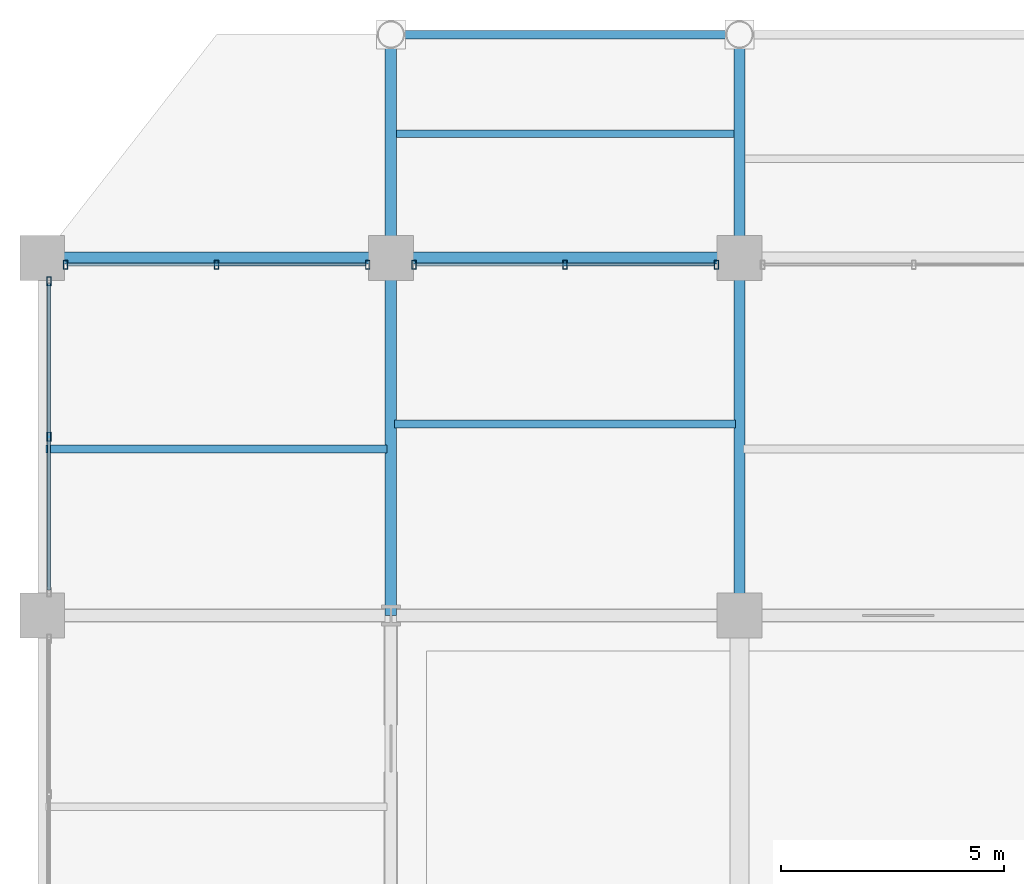
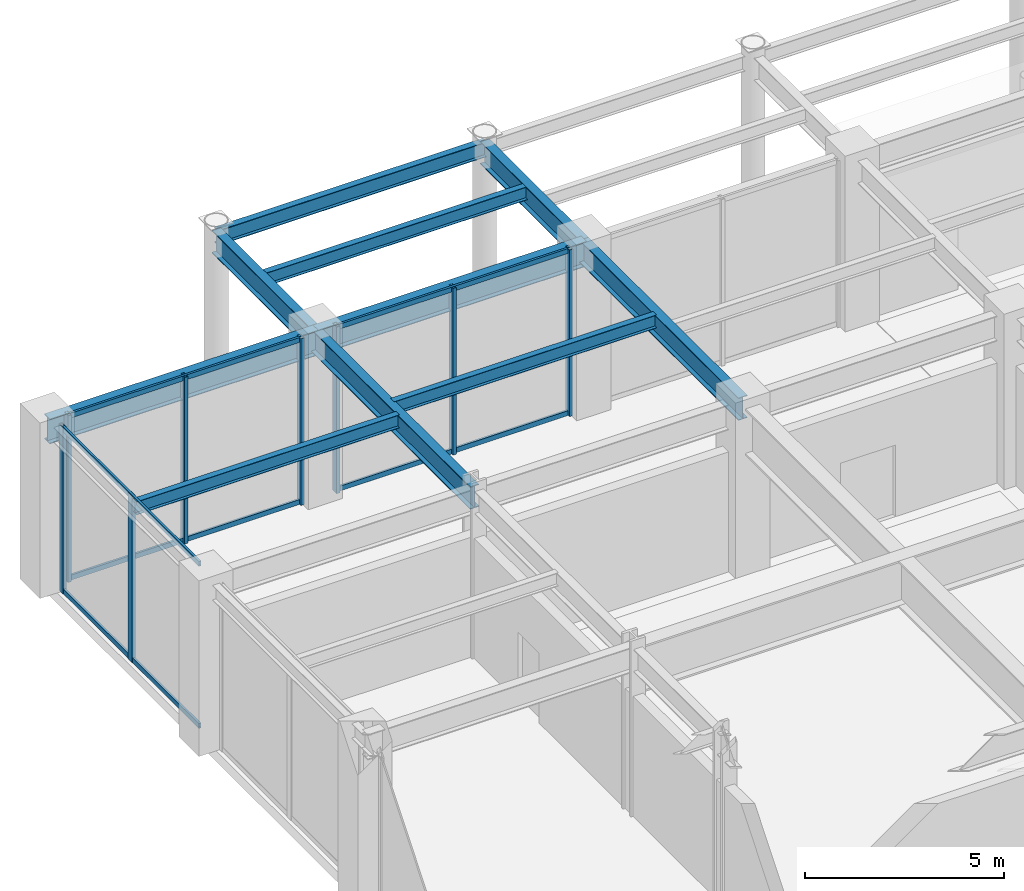
# One storey, part 14 of 27: 14 members, 10 beams, 3 elements without a shape of their own.
"""IFC4 building model written with IfcOpenShell, lengths in metres."""

from ifc_helpers import new_model, si_unit, direction, frame, origin, origin_2d, place, context, subcontext, project, spatial, hollow_rectangle, i_section, extrude, material, layer, layer_set, material_profile, profile_set, type_object, element, aggregate, save


model = new_model("IFC4")

# Units and contexts
model_context = context("Model", 3, precision=1e-05, world=origin(), true_north=direction((0.0, 1.0)))
body_context = subcontext(model_context, "Body", "Model", "MODEL_VIEW")
ifc_project = project(units=[si_unit("LENGTHUNIT", "METRE"), si_unit("AREAUNIT", "SQUARE_METRE"), si_unit("VOLUMEUNIT", "CUBIC_METRE"), si_unit("PLANEANGLEUNIT", "RADIAN"), si_unit("MASSUNIT", "GRAM", prefix="KILO")], contexts=[model_context])

# Site, building, storey
site_placement = place(None, origin())
site = spatial("IfcSite", under=ifc_project, at=site_placement, CompositionType="ELEMENT")
building_placement = place(site_placement, origin())
building = spatial("IfcBuilding", under=site, at=building_placement, Name="Veymaron Broadcast Tower", CompositionType="ELEMENT")
storey_placement = place(building_placement, origin())
storey = spatial("IfcBuildingStorey", under=building, at=storey_placement, Name="L00", CompositionType="ELEMENT", Elevation=0.0)

# Beams
ifc_material_1 = material(Name="Structural steel ASTM A992 Gr 50", Category="steel")
ifc_material_profile_1 = material_profile(ifc_material_1, i_section(OverallWidth=0.177978515625, OverallDepth=0.406982421875, WebThickness=0.0078125, FlangeThickness=0.0126953125, at=origin_2d()), Name="W410X60")
ifc_profile_set_1 = profile_set([ifc_material_profile_1], Name="Structural steel ASTM A992 Gr 50")
beam_type_1 = type_object("IfcBeamType", Name="BM-JS1", PredefinedType="JOIST", material=ifc_profile_set_1)
beam_1_placement = place(storey_placement, frame((0.0849609375, 43.719970703125, 4.91650390625), z_axis=(1.0, 0.0, 0.0), x_axis=(0.0, 1.0, 0.0)))
element("IfcBeam", 1, at=beam_1_placement, inside=storey, type_object=beam_type_1, Name="L00 podium secondary floor joist", PredefinedType="JOIST", context=body_context, shape_type="SweptSolid", body=[
    extrude(i_section(OverallWidth=0.177978515625, OverallDepth=0.406982421875, WebThickness=0.0078125, FlangeThickness=0.0126953125, at=origin_2d()), origin(), (0.0, 0.0, 1.0), 7.630126953125),
])
for number, where, z_axis, x_axis, name in (
    (2, (7.885009765625, 44.280029296875, 4.91650390625), (1.0, 0.0, 0.0), (0.0, 1.0, 0.0), "L00 podium secondary floor joist"),
    (3, (7.885009765625, 50.780029296875, 4.91650390625), (1.0, 0.0, 0.0), (0.0, 1.0, 0.0), "L00 podium secondary floor joist"),
):
    element("IfcBeam", number, at=place(storey_placement, frame(where, z_axis=z_axis, x_axis=x_axis)), inside=storey, type_object=beam_type_1, Name=name, PredefinedType="JOIST", context=body_context, shape_type="SweptSolid", body=[
        extrude(i_section(OverallWidth=0.177978515625, OverallDepth=0.406982421875, WebThickness=0.0078125, FlangeThickness=0.0126953125, at=origin_2d()), origin(), (0.0, 0.0, 1.0), 7.6298828125),
    ])
ifc_material_profile_2 = material_profile(ifc_material_1, i_section(OverallWidth=0.26806640625, OverallDepth=0.77001953125, WebThickness=0.015625, FlangeThickness=0.025390625, at=origin_2d()), Name="W760X196")
ifc_profile_set_2 = profile_set([ifc_material_profile_2], Name="Structural steel ASTM A992 Gr 50")
beam_type_2 = type_object("IfcBeamType", Name="BM-PG1", PredefinedType="BEAM", material=ifc_profile_set_2)
for number, where, z_axis, x_axis, name in (
    (4, (0.0, 48.0, 4.735107421875), (1.0, 0.0, 0.0), (0.0, 1.0, 0.0), "L00 podium primary X-girder"),
    (5, (7.800048828125, 48.0, 4.735107421875), (1.0, 0.0, 0.0), (0.0, 1.0, 0.0), "L00 podium primary X-girder"),
):
    element("IfcBeam", number, at=place(storey_placement, frame(where, z_axis=z_axis, x_axis=x_axis)), inside=storey, type_object=beam_type_2, Name=name, PredefinedType="BEAM", context=body_context, shape_type="SweptSolid", body=[
        extrude(i_section(OverallWidth=0.26806640625, OverallDepth=0.77001953125, WebThickness=0.015625, FlangeThickness=0.025390625, at=origin_2d()), origin(), (0.0, 0.0, 1.0), 7.800048828125),
    ])
ifc_material_profile_3 = material_profile(ifc_material_1, i_section(OverallWidth=0.256103515625, OverallDepth=0.693115234375, WebThickness=0.014404296875, FlangeThickness=0.023681640625, at=origin_2d()), Name="W690X170")
ifc_profile_set_3 = profile_set([ifc_material_profile_3], Name="Structural steel ASTM A992 Gr 50")
beam_type_3 = type_object("IfcBeamType", Name="BM-PG2", PredefinedType="BEAM", material=ifc_profile_set_3)
beam_2_placement = place(storey_placement, frame((7.800048828125, 40.0, 4.7734375), z_axis=(0.0, 1.0, 0.0), x_axis=(-1.0, 0.0, 0.0)))
element("IfcBeam", 6, at=beam_2_placement, inside=storey, type_object=beam_type_3, Name="L00 podium primary Y-girder", PredefinedType="BEAM", context=body_context, shape_type="SweptSolid", body=[
    extrude(i_section(OverallWidth=0.256103515625, OverallDepth=0.693115234375, WebThickness=0.014404296875, FlangeThickness=0.023681640625, at=origin_2d()), origin(), (0.0, 0.0, 1.0), 8.0),
])
beam_3_placement = place(storey_placement, frame((7.800048828125, 48.0, 4.7734375), z_axis=(0.0, 1.0, 0.0), x_axis=(-1.0, 0.0, 0.0)))
element("IfcBeam", 7, at=beam_3_placement, inside=storey, type_object=beam_type_3, Name="L00 podium primary Y-girder", PredefinedType="BEAM", context=body_context, shape_type="SweptSolid", body=[
    extrude(i_section(OverallWidth=0.256103515625, OverallDepth=0.693115234375, WebThickness=0.014404296875, FlangeThickness=0.023681640625, at=origin_2d()), origin(), (0.0, 0.0, 1.0), 5.0),
])
beam_4_placement = place(storey_placement, frame((15.60009765625, 40.0, 4.7734375), z_axis=(0.0, 1.0, 0.0), x_axis=(-1.0, 0.0, 0.0)))
element("IfcBeam", 8, at=beam_4_placement, inside=storey, type_object=beam_type_3, Name="L00 podium primary Y-girder", PredefinedType="BEAM", context=body_context, shape_type="SweptSolid", body=[
    extrude(i_section(OverallWidth=0.256103515625, OverallDepth=0.693115234375, WebThickness=0.014404296875, FlangeThickness=0.023681640625, at=origin_2d()), origin(), (0.0, 0.0, 1.0), 8.0),
])
beam_5_placement = place(storey_placement, frame((15.60009765625, 48.0, 4.7734375), z_axis=(0.0, 1.0, 0.0), x_axis=(-1.0, 0.0, 0.0)))
element("IfcBeam", 9, at=beam_5_placement, inside=storey, type_object=beam_type_3, Name="L00 podium primary Y-girder", PredefinedType="BEAM", context=body_context, shape_type="SweptSolid", body=[
    extrude(i_section(OverallWidth=0.256103515625, OverallDepth=0.693115234375, WebThickness=0.014404296875, FlangeThickness=0.023681640625, at=origin_2d()), origin(), (0.0, 0.0, 1.0), 5.0),
])
ifc_material_profile_4 = material_profile(ifc_material_1, i_section(OverallWidth=0.19091796875, OverallDepth=0.4599609375, WebThickness=0.010009765625, FlangeThickness=0.01611328125, at=origin_2d()), Name="W460X82")
ifc_profile_set_4 = profile_set([ifc_material_profile_4], Name="Structural steel ASTM A992 Gr 50")
beam_type_4 = type_object("IfcBeamType", Name="BM-SP1", PredefinedType="SPANDREL", material=ifc_profile_set_4)
beam_6_placement = place(storey_placement, frame((7.800048828125, 53.0, 4.889892578125), z_axis=(1.0, 0.0, 0.0), x_axis=(0.0, 1.0, 0.0)))
element("IfcBeam", 10, at=beam_6_placement, inside=storey, type_object=beam_type_4, Name="L00 podium primary X-girder", PredefinedType="SPANDREL", context=body_context, shape_type="SweptSolid", body=[
    extrude(i_section(OverallWidth=0.19091796875, OverallDepth=0.4599609375, WebThickness=0.010009765625, FlangeThickness=0.01611328125, at=origin_2d()), origin(), (0.0, 0.0, 1.0), 7.800048828125),
])

# Curtain wall, members
ifc_material_2 = material(Name="Anodised aluminium AA 6063-T6 and laminated low-E dark glass", Category="aluminium")
ifc_layer = layer(ifc_material_2, 0.179931640625)
ifc_layer_set = layer_set([ifc_layer], Name="Anodised aluminium AA 6063-T6 and laminated low-E dark glass")
curtain_wall_type = type_object("IfcCurtainWallType", Name="CW-SYS-01", PredefinedType="NOTDEFINED", material=ifc_layer_set)
curtain_wall_1_placement = place(storey_placement, origin())
curtain_wall_1 = element("IfcCurtainWall", 11, at=curtain_wall_1_placement, inside=storey, type_object=curtain_wall_type, Name="L00 dark-glass curtain wall CW-L00-01", PredefinedType="NOTDEFINED")
ifc_material_3 = material(Name="Anodised aluminium AA 6063-T6", Category="aluminium")
ifc_material_profile_5 = material_profile(ifc_material_3, hollow_rectangle(XDim=0.10009765625, YDim=0.199951171875, WallThickness=0.010009765625, at=origin_2d()), Name="RHS200X100X10")
ifc_profile_set_5 = profile_set([ifc_material_profile_5], Name="Anodised aluminium AA 6063-T6")
member_type_1 = type_object("IfcMemberType", Name="CW-MUL-01", PredefinedType="MULLION", material=ifc_profile_set_5)
member_1_placement = place(storey_placement, frame((0.51806640625, 47.85009765625, 0.0), z_axis=(0.0, 0.0, 1.0), x_axis=(1.0, 0.0, 0.0)))
member_1 = element("IfcMember", 12, at=member_1_placement, type_object=member_type_1, Name="CW-L00-01 mullion 0", PredefinedType="MULLION", context=body_context, shape_type="SweptSolid", body=[
    extrude(hollow_rectangle(XDim=0.10009765625, YDim=0.199951171875, WallThickness=0.010009765625, at=origin_2d()), origin(), (0.0, 0.0, 1.0), 5.1201171875),
])
member_2_placement = place(storey_placement, frame((3.89990234375, 47.85009765625, 0.0), z_axis=(0.0, 0.0, 1.0), x_axis=(1.0, 0.0, 0.0)))
member_2 = element("IfcMember", 13, at=member_2_placement, type_object=member_type_1, Name="CW-L00-01 mullion 1", PredefinedType="MULLION", context=body_context, shape_type="SweptSolid", body=[
    extrude(hollow_rectangle(XDim=0.10009765625, YDim=0.199951171875, WallThickness=0.010009765625, at=origin_2d()), origin(), (0.0, 0.0, 1.0), 5.1201171875),
])
member_3_placement = place(storey_placement, frame((7.281982421875, 47.85009765625, 0.0), z_axis=(0.0, 0.0, 1.0), x_axis=(1.0, 0.0, 0.0)))
member_3 = element("IfcMember", 14, at=member_3_placement, type_object=member_type_1, Name="CW-L00-01 mullion 2", PredefinedType="MULLION", context=body_context, shape_type="SweptSolid", body=[
    extrude(hollow_rectangle(XDim=0.10009765625, YDim=0.199951171875, WallThickness=0.010009765625, at=origin_2d()), origin(), (0.0, 0.0, 1.0), 5.1201171875),
])

curtain_wall_2_placement = place(storey_placement, origin())
curtain_wall_2 = element("IfcCurtainWall", 15, at=curtain_wall_2_placement, inside=storey, type_object=curtain_wall_type, Name="L00 dark-glass curtain wall CW-L00-02", PredefinedType="NOTDEFINED")
member_4_placement = place(storey_placement, frame((8.318115234375, 47.85009765625, 0.0), z_axis=(0.0, 0.0, 1.0), x_axis=(1.0, 0.0, 0.0)))
member_4 = element("IfcMember", 16, at=member_4_placement, type_object=member_type_1, Name="CW-L00-02 mullion 0", PredefinedType="MULLION", context=body_context, shape_type="SweptSolid", body=[
    extrude(hollow_rectangle(XDim=0.10009765625, YDim=0.199951171875, WallThickness=0.010009765625, at=origin_2d()), origin(), (0.0, 0.0, 1.0), 5.1201171875),
])
member_5_placement = place(storey_placement, frame((11.699951171875, 47.85009765625, 0.0), z_axis=(0.0, 0.0, 1.0), x_axis=(1.0, 0.0, 0.0)))
member_5 = element("IfcMember", 17, at=member_5_placement, type_object=member_type_1, Name="CW-L00-02 mullion 1", PredefinedType="MULLION", context=body_context, shape_type="SweptSolid", body=[
    extrude(hollow_rectangle(XDim=0.10009765625, YDim=0.199951171875, WallThickness=0.010009765625, at=origin_2d()), origin(), (0.0, 0.0, 1.0), 5.1201171875),
])
member_6_placement = place(storey_placement, frame((15.08203125, 47.85009765625, 0.0), z_axis=(0.0, 0.0, 1.0), x_axis=(1.0, 0.0, 0.0)))
member_6 = element("IfcMember", 18, at=member_6_placement, type_object=member_type_1, Name="CW-L00-02 mullion 2", PredefinedType="MULLION", context=body_context, shape_type="SweptSolid", body=[
    extrude(hollow_rectangle(XDim=0.10009765625, YDim=0.199951171875, WallThickness=0.010009765625, at=origin_2d()), origin(), (0.0, 0.0, 1.0), 5.1201171875),
])

curtain_wall_3_placement = place(storey_placement, origin())
curtain_wall_3 = element("IfcCurtainWall", 19, at=curtain_wall_3_placement, inside=storey, type_object=curtain_wall_type, Name="L00 dark-glass curtain wall CW-L00-10", PredefinedType="NOTDEFINED")
member_7_placement = place(storey_placement, frame((0.14990234375, 44.0, 0.0), z_axis=(0.0, 0.0, 1.0), x_axis=(1.0, 0.0, 0.0)))
member_7 = element("IfcMember", 20, at=member_7_placement, type_object=member_type_1, Name="CW-L00-10 mullion 1", PredefinedType="MULLION", context=body_context, shape_type="SweptSolid", body=[
    extrude(hollow_rectangle(XDim=0.10009765625, YDim=0.199951171875, WallThickness=0.010009765625, at=origin_2d()), origin(), (0.0, 0.0, 1.0), 5.1201171875),
])
member_8_placement = place(storey_placement, frame((0.14990234375, 47.48193359375, 0.0), z_axis=(0.0, 0.0, 1.0), x_axis=(1.0, 0.0, 0.0)))
member_8 = element("IfcMember", 21, at=member_8_placement, type_object=member_type_1, Name="CW-L00-10 mullion 2", PredefinedType="MULLION", context=body_context, shape_type="SweptSolid", body=[
    extrude(hollow_rectangle(XDim=0.10009765625, YDim=0.199951171875, WallThickness=0.010009765625, at=origin_2d()), origin(), (0.0, 0.0, 1.0), 5.1201171875),
])

# Member
ifc_material_profile_6 = material_profile(ifc_material_3, hollow_rectangle(XDim=0.06494140625, YDim=0.14990234375, WallThickness=0.00390625, at=origin_2d()), Name="AL150X65X4")
ifc_profile_set_6 = profile_set([ifc_material_profile_6], Name="Anodised aluminium AA 6063-T6")
member_type_2 = type_object("IfcMemberType", Name="CW-TRN-01", PredefinedType="USERDEFINED", material=ifc_profile_set_6)
member_9_placement = place(storey_placement, frame((0.568115234375, 47.85009765625, 0.070068359375), z_axis=(1.0, 0.0, 0.0), x_axis=(0.0, 1.0, 0.0)))
member_9 = element("IfcMember", 22, at=member_9_placement, type_object=member_type_2, Name="CW-L00-01 transom B", ObjectType="TRANSOM", PredefinedType="USERDEFINED", context=body_context, shape_type="SweptSolid", body=[
    extrude(hollow_rectangle(XDim=0.06494140625, YDim=0.14990234375, WallThickness=0.00390625, at=origin_2d()), origin(), (0.0, 0.0, 1.0), 6.663818359375),
])

member_10_placement = place(storey_placement, frame((0.568115234375, 47.85009765625, 5.050048828125), z_axis=(1.0, 0.0, 0.0), x_axis=(0.0, 1.0, 0.0)))
member_10 = element("IfcMember", 23, at=member_10_placement, type_object=member_type_2, Name="CW-L00-01 transom T", ObjectType="TRANSOM", PredefinedType="USERDEFINED", context=body_context, shape_type="SweptSolid", body=[
    extrude(hollow_rectangle(XDim=0.06494140625, YDim=0.14990234375, WallThickness=0.00390625, at=origin_2d()), origin(), (0.0, 0.0, 1.0), 6.663818359375),
])

aggregate(curtain_wall_1, [member_1, member_2, member_3, member_9, member_10])

member_11_placement = place(storey_placement, frame((8.367919921875, 47.85009765625, 0.070068359375), z_axis=(1.0, 0.0, 0.0), x_axis=(0.0, 1.0, 0.0)))
member_11 = element("IfcMember", 24, at=member_11_placement, type_object=member_type_2, Name="CW-L00-02 transom B", ObjectType="TRANSOM", PredefinedType="USERDEFINED", context=body_context, shape_type="SweptSolid", body=[
    extrude(hollow_rectangle(XDim=0.06494140625, YDim=0.14990234375, WallThickness=0.00390625, at=origin_2d()), origin(), (0.0, 0.0, 1.0), 6.6640625),
])

member_12_placement = place(storey_placement, frame((8.367919921875, 47.85009765625, 5.050048828125), z_axis=(1.0, 0.0, 0.0), x_axis=(0.0, 1.0, 0.0)))
member_12 = element("IfcMember", 25, at=member_12_placement, type_object=member_type_2, Name="CW-L00-02 transom T", ObjectType="TRANSOM", PredefinedType="USERDEFINED", context=body_context, shape_type="SweptSolid", body=[
    extrude(hollow_rectangle(XDim=0.06494140625, YDim=0.14990234375, WallThickness=0.00390625, at=origin_2d()), origin(), (0.0, 0.0, 1.0), 6.6640625),
])

aggregate(curtain_wall_2, [member_4, member_5, member_6, member_11, member_12])

member_13_placement = place(storey_placement, frame((0.14990234375, 40.568115234375, 0.070068359375), z_axis=(0.0, 1.0, 0.0), x_axis=(-1.0, 0.0, 0.0)))
member_13 = element("IfcMember", 26, at=member_13_placement, type_object=member_type_2, Name="CW-L00-10 transom B", ObjectType="TRANSOM", PredefinedType="USERDEFINED", context=body_context, shape_type="SweptSolid", body=[
    extrude(hollow_rectangle(XDim=0.06494140625, YDim=0.14990234375, WallThickness=0.00390625, at=origin_2d()), origin(), (0.0, 0.0, 1.0), 6.86376953125),
])

member_14_placement = place(storey_placement, frame((0.14990234375, 40.568115234375, 5.050048828125), z_axis=(0.0, 1.0, 0.0), x_axis=(-1.0, 0.0, 0.0)))
member_14 = element("IfcMember", 27, at=member_14_placement, type_object=member_type_2, Name="CW-L00-10 transom T", ObjectType="TRANSOM", PredefinedType="USERDEFINED", context=body_context, shape_type="SweptSolid", body=[
    extrude(hollow_rectangle(XDim=0.06494140625, YDim=0.14990234375, WallThickness=0.00390625, at=origin_2d()), origin(), (0.0, 0.0, 1.0), 6.86376953125),
])

aggregate(curtain_wall_3, [member_7, member_8, member_13, member_14])

save(model, "model.ifc")
